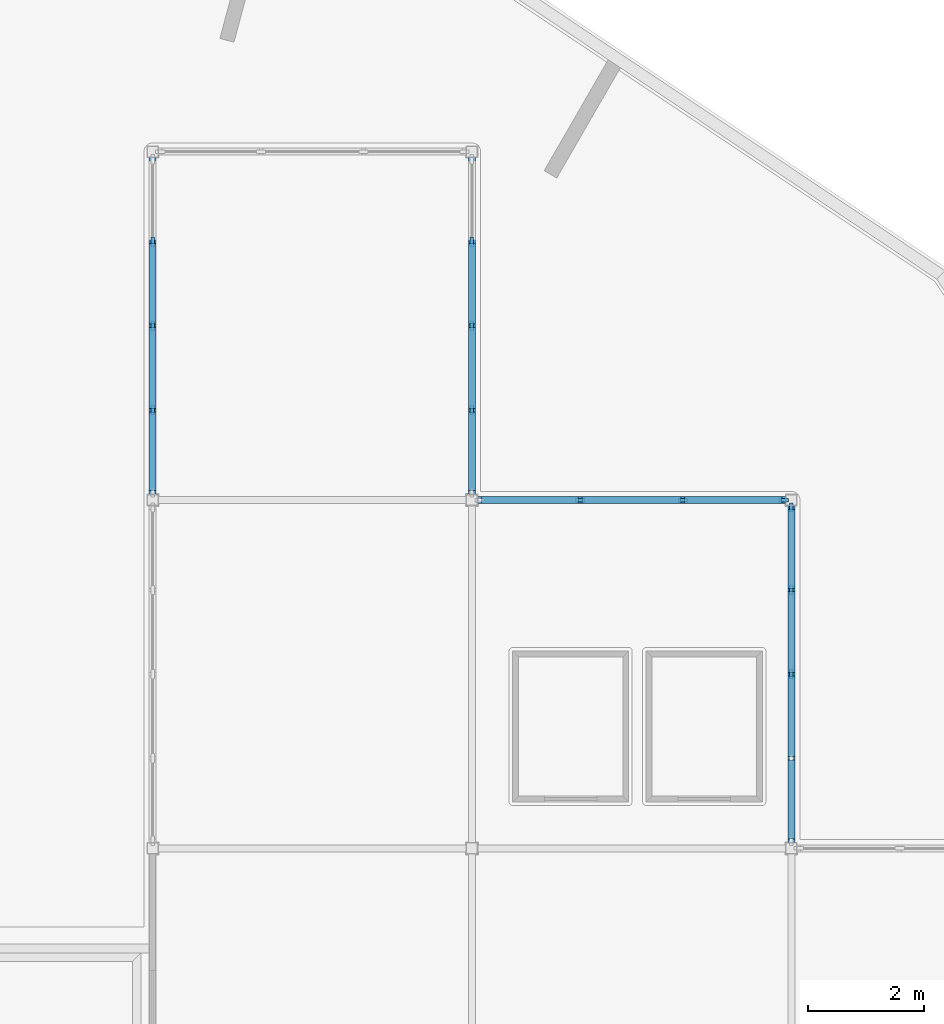
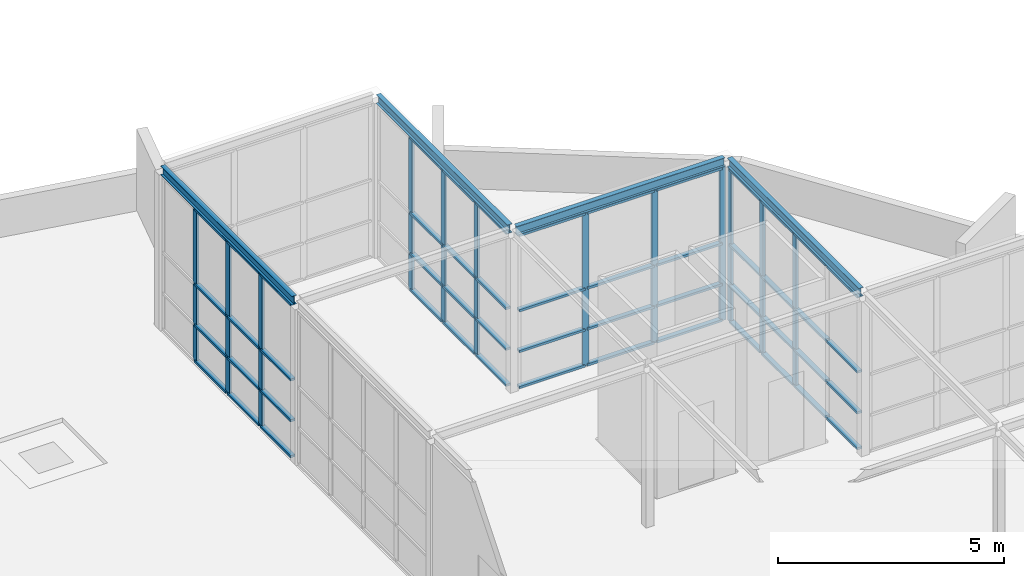
# One storey, part 14 of 40: 64 members, 4 beams, 4 elements without a shape of their own.
"""IFC4 building model written with IfcOpenShell, lengths in metres."""

import ifcopenshell
import ifcopenshell.guid

model = None  # the IFC model being written
_history = None  # IfcOwnerHistory: only IFC2X3 demands one
_inside = {}  # id of a spatial element -> (the spatial element, [elements in it])
_under = {}  # id of a project, library or spatial element -> (it, [spatial elements below it])
_declared = {}  # id of a project -> (the project, [libraries it declares])
_typed = {}  # id of a type object -> (the type object, [elements of that type])
_made_of = {}  # id of a material, layer set ... -> (it, [elements and type objects made of it])


def new_model(schema):
    """Start an empty IFC model of exactly this schema.

    Asked for "IFC4X3", IfcOpenShell would pick the latest addendum, in which some entities
    have other attributes; the version numbers below select the first issue.
    IFC2X3 requires an IfcOwnerHistory on every rooted entity: one is made here for all.
    """
    global model, _history
    if schema == "IFC4X3":
        model = ifcopenshell.file(schema_version=(4, 3, 0, 0))
    else:
        model = ifcopenshell.file(schema=schema)
    _inside.clear()
    _under.clear()
    _declared.clear()
    _typed.clear()
    _made_of.clear()
    _history = None
    if model.schema == "IFC2X3":
        org = make("IfcOrganization", Name="unknown")
        user = make(
            "IfcPersonAndOrganization",
            ThePerson=make("IfcPerson", FamilyName="unknown"),
            TheOrganization=org,
        )
        app = make(
            "IfcApplication",
            ApplicationDeveloper=org,
            Version="unknown",
            ApplicationFullName="unknown",
            ApplicationIdentifier="unknown",
        )
        _history = make(
            "IfcOwnerHistory",
            OwningUser=user,
            OwningApplication=app,
            ChangeAction="ADDED",
            CreationDate=0,
        )
    return model


def make(cls, **values):
    """One entity of the class cls with the attributes given. An attribute that is None is left unset."""
    return model.create_entity(
        cls, **{name: value for name, value in values.items() if value is not None}
    )


def rooted(cls, **values):
    """An entity with a GlobalId (a new one), such as an element, a storey or a relation."""
    return make(cls, GlobalId=ifcopenshell.guid.new(), OwnerHistory=_history, **values)


def si_unit(unit_type, name, prefix=None):
    """IfcSIUnit, for example si_unit("LENGTHUNIT", "METRE", prefix="MILLI")."""
    return make("IfcSIUnit", UnitType=unit_type, Prefix=prefix, Name=name)


def assignment(units):
    """IfcUnitAssignment: the units of a project."""
    return None if units is None else make("IfcUnitAssignment", Units=units)


def point(xyz):
    """IfcCartesianPoint."""
    return None if xyz is None else make("IfcCartesianPoint", Coordinates=xyz)


def direction(xyz):
    """IfcDirection."""
    return None if xyz is None else make("IfcDirection", DirectionRatios=xyz)


def frame(location, z_axis=None, x_axis=None):
    """IfcAxis2Placement3D, a coordinate frame: its origin and axes. An axis left out is left unset."""
    return make(
        "IfcAxis2Placement3D",
        Location=point(location),
        Axis=direction(z_axis),
        RefDirection=direction(x_axis),
    )


def frame_2d(location, x_axis=None):
    """IfcAxis2Placement2D, a coordinate frame in the plane: its origin and x axis."""
    return make(
        "IfcAxis2Placement2D", Location=point(location), RefDirection=direction(x_axis)
    )


def origin():
    """The frame at (0, 0, 0) with its axes left unset."""
    return frame((0.0, 0.0, 0.0))


def origin_2d():
    """The frame at (0, 0) in the plane with its x axis left unset."""
    return frame_2d((0.0, 0.0))


def place(relative_to, where):
    """IfcLocalPlacement: puts the frame where relative to a parent placement (None: the world)."""
    return make(
        "IfcLocalPlacement", PlacementRelTo=relative_to, RelativePlacement=where
    )


def context(
    kind, dimensions, precision=None, world=None, true_north=None, identifier=None
):
    """IfcGeometricRepresentationContext, for example the 3D "Model" context."""
    return make(
        "IfcGeometricRepresentationContext",
        ContextIdentifier=identifier,
        ContextType=kind,
        CoordinateSpaceDimension=dimensions,
        Precision=precision,
        WorldCoordinateSystem=world,
        TrueNorth=true_north,
    )


def subcontext(parent, identifier, kind, view, scale=None):
    """IfcGeometricRepresentationSubContext, for example "Body" below "Model"."""
    return make(
        "IfcGeometricRepresentationSubContext",
        ContextIdentifier=identifier,
        ContextType=kind,
        ParentContext=parent,
        TargetScale=scale,
        TargetView=view,
    )


def project(units=None, contexts=None):
    """IfcProject with its units and contexts."""
    return rooted(
        "IfcProject",
        Name="project",
        RepresentationContexts=contexts,
        UnitsInContext=assignment(units),
    )


def spatial(cls, under=None, at=None, **own):
    """A site, building, storey or space (cls), placed at a placement, below another one or the project."""
    s = rooted(cls, ObjectPlacement=at, **own)
    if under is not None:
        _under.setdefault(under.id(), (under, []))[1].append(s)
    return s


def profile(cls, at=None, kind="AREA", **sizes):
    """A parametric profile (cls). Its sizes go by their IFC names, for example OverallWidth=200.0."""
    return make(cls, ProfileType=kind, Position=at, **sizes)


def rectangle(**sizes):
    """IfcRectangleProfileDef."""
    return profile("IfcRectangleProfileDef", **sizes)


def i_section(**sizes):
    """IfcIShapeProfileDef."""
    return profile("IfcIShapeProfileDef", **sizes)


def extrude(swept, where, along, depth):
    """IfcExtrudedAreaSolid: the profile swept, set in the frame where, extruded along a direction by depth."""
    return make(
        "IfcExtrudedAreaSolid",
        SweptArea=swept,
        Position=where,
        ExtrudedDirection=direction(along),
        Depth=depth,
    )


def shape(context_of_items, identifier, shape_type, items):
    """IfcShapeRepresentation: the items that make up one representation, for example the "Body"."""
    return make(
        "IfcShapeRepresentation",
        ContextOfItems=context_of_items,
        RepresentationIdentifier=identifier,
        RepresentationType=shape_type,
        Items=items,
    )


def material(Name=None, Category=None):
    """IfcMaterial."""
    return make("IfcMaterial", Name=Name, Category=Category)


def material_profile(
    of_material, cross_section, Name=None, Category=None, Priority=None
):
    """IfcMaterialProfile: a cross section and its material."""
    return make(
        "IfcMaterialProfile",
        Name=Name,
        Material=of_material,
        Profile=cross_section,
        Priority=Priority,
        Category=Category,
    )


def profile_set(profiles, Name=None, composite=None):
    """IfcMaterialProfileSet."""
    return make(
        "IfcMaterialProfileSet",
        Name=Name,
        MaterialProfiles=profiles,
        CompositeProfile=composite,
    )


def made_of(thing, what):
    """Note that an element or type object is made of a material, layer set ...; save() writes the relation."""
    if what is not None:
        _made_of.setdefault(what.id(), (what, []))[1].append(thing)
    return thing


def type_object(cls, material=None, **own):
    """A type object (cls), such as IfcWallType, which elements share."""
    return made_of(rooted(cls, **own), material)


def element(
    cls,
    number,
    at=None,
    inside=None,
    cuts=None,
    type_object=None,
    material=None,
    context=None,
    identifier="Body",
    shape_type=None,
    held_by="IfcProductDefinitionShape",
    body=None,
    shapes=None,
    **own,
):
    """One element of the class cls, such as IfcWall. Its Tag is "e" and its number.

    at: its placement. inside: the storey or other place that contains it. cuts: it is an
    opening in that element (IfcRelVoidsElement). A single representation is given by context,
    identifier, shape_type and body (its items); several are given by shapes. held_by: the class
    of the entity that holds the representations. save() writes the other relations.
    """
    e = rooted(cls, Tag="e%d" % number, ObjectPlacement=at, **own)
    if body is not None:
        shapes = [shape(context, identifier, shape_type, body)]
    if shapes is not None:
        e.Representation = make(held_by, Representations=shapes)
    if inside is not None:
        _inside.setdefault(inside.id(), (inside, []))[1].append(e)
    if cuts is not None:
        rooted(
            "IfcRelVoidsElement", RelatingBuildingElement=cuts, RelatedOpeningElement=e
        )
    if type_object is not None:
        _typed.setdefault(type_object.id(), (type_object, []))[1].append(e)
    return made_of(e, material)


def aggregate(whole, parts):
    """IfcRelAggregates: a whole, such as a stair, and the parts it consists of."""
    return rooted("IfcRelAggregates", RelatingObject=whole, RelatedObjects=parts)


def save(model, path):
    """Write the relations noted so far, then the file.

    IfcRelAggregates (storeys below a building ...), IfcRelContainedInSpatialStructure (elements
    in a storey), IfcRelDefinesByType, IfcRelAssociatesMaterial and IfcRelDeclares: one each for
    every whole, place, type object, material and project.
    """
    for whole, parts in _under.values():
        aggregate(whole, parts)
    for where, things in _inside.values():
        rooted(
            "IfcRelContainedInSpatialStructure",
            RelatedElements=things,
            RelatingStructure=where,
        )
    for kind, things in _typed.values():
        rooted("IfcRelDefinesByType", RelatedObjects=things, RelatingType=kind)
    for what, things in _made_of.values():
        rooted("IfcRelAssociatesMaterial", RelatedObjects=things, RelatingMaterial=what)
    for by, libraries in _declared.values():
        rooted("IfcRelDeclares", RelatingContext=by, RelatedDefinitions=libraries)
    model.write(path)


model = new_model("IFC4")

# Units and contexts
model_context = context("Model", 3, precision=1e-05, world=origin(), true_north=direction((0.0, 1.0)))
body_context = subcontext(model_context, "Body", "Model", "MODEL_VIEW")
ifc_project = project(units=[si_unit("LENGTHUNIT", "METRE"), si_unit("AREAUNIT", "SQUARE_METRE"), si_unit("VOLUMEUNIT", "CUBIC_METRE"), si_unit("PLANEANGLEUNIT", "RADIAN"), si_unit("MASSUNIT", "GRAM", prefix="KILO")], contexts=[model_context])

# Site, building, storey
site_placement = place(None, origin())
site = spatial("IfcSite", under=ifc_project, at=site_placement, CompositionType="ELEMENT")
building_placement = place(site_placement, origin())
building = spatial("IfcBuilding", under=site, at=building_placement, Name="Ceibo Conservatory and Research Tower", CompositionType="ELEMENT")
storey_placement = place(building_placement, frame((0.0, 0.0, 6.0)))
storey = spatial("IfcBuildingStorey", under=building, at=storey_placement, Name="L01", CompositionType="ELEMENT", Elevation=6.0)

# Beams
ifc_material_1 = material(Name="Steel S355J2", Category="steel")
ifc_material_profile_1 = material_profile(ifc_material_1, i_section(OverallWidth=0.1201171875, OverallDepth=0.239990234375, WebThickness=0.006103515625, FlangeThickness=0.009765625, at=origin_2d()), Name="IPE 240")
ifc_profile_set_1 = profile_set([ifc_material_profile_1], Name="Steel S355J2")
beam_type = type_object("IfcBeamType", Name="IPE 240 gallery roof beam", PredefinedType="BEAM", material=ifc_profile_set_1)
beam_placement = place(storey_placement, frame((178.294921875, 50.39990234375, 4.280029296875), z_axis=(1.0, 0.0, 0.0), x_axis=(0.0, 1.0, 0.0)))
element("IfcBeam", 1, at=beam_placement, inside=storey, type_object=beam_type, Name="Sky Gallery roof beam VC-SBh14", PredefinedType="BEAM", context=body_context, shape_type="SweptSolid", body=[
    extrude(i_section(OverallWidth=0.1201171875, OverallDepth=0.239990234375, WebThickness=0.006103515625, FlangeThickness=0.009765625, at=origin_2d()), origin(), (0.0, 0.0, 1.0), 5.31005859375),
])
for number, where, z_axis, x_axis, name in (
    (2, (172.699951171875, 50.4951171875, 4.280029296875), (0.0, 1.0, 0.0), (-1.0, 0.0, 0.0), "Sky Gallery roof beam VC-SBv04"),
    (3, (178.199951171875, 50.4951171875, 4.280029296875), (0.0, 1.0, 0.0), (-1.0, 0.0, 0.0), "Sky Gallery roof beam VC-SBv14"),
    (4, (183.699951171875, 44.4951171875, 4.280029296875), (0.0, 1.0, 0.0), (-1.0, 0.0, 0.0), "Sky Gallery roof beam VC-SBv23"),
):
    element("IfcBeam", number, at=place(storey_placement, frame(where, z_axis=z_axis, x_axis=x_axis)), inside=storey, type_object=beam_type, Name=name, PredefinedType="BEAM", context=body_context, shape_type="SweptSolid", body=[
        extrude(i_section(OverallWidth=0.1201171875, OverallDepth=0.239990234375, WebThickness=0.006103515625, FlangeThickness=0.009765625, at=origin_2d()), origin(), (0.0, 0.0, 1.0), 5.809814453125),
    ])

# Curtain wall, members
ifc_material_2 = material(Name="Aluminium and glass", Category="aluminium")
curtain_wall_type = type_object("IfcCurtainWallType", Name="Sky gallery curtain wall", PredefinedType="NOTDEFINED", material=ifc_material_2)
curtain_wall_1_placement = place(storey_placement, origin())
curtain_wall_1 = element("IfcCurtainWall", 5, at=curtain_wall_1_placement, inside=storey, type_object=curtain_wall_type, Name="Sky Gallery curtain wall h14", PredefinedType="NOTDEFINED")
ifc_material_3 = material(Name="Aluminium", Category="aluminium")
ifc_material_profile_2 = material_profile(ifc_material_3, rectangle(XDim=0.06005859375, YDim=0.159912109375, at=origin_2d()), Name="AL 60x160")
ifc_profile_set_2 = profile_set([ifc_material_profile_2], Name="Aluminium")
member_type_1 = type_object("IfcMemberType", Name="Sky gallery mullion 60x160", PredefinedType="MULLION", material=ifc_profile_set_2)
member_1_placement = place(storey_placement, frame((180.066650390625, 50.39990234375, 0.0), z_axis=(0.0, 0.0, 1.0), x_axis=(0.0, 1.0, 0.0)))
member_1 = element("IfcMember", 6, at=member_1_placement, type_object=member_type_1, Name="VC-SWh14 mullion 2", PredefinedType="MULLION", context=body_context, shape_type="SweptSolid", body=[
    extrude(rectangle(XDim=0.06005859375, YDim=0.159912109375, at=origin_2d()), origin(), (0.0, 0.0, 1.0), 4.159912109375),
])
member_2_placement = place(storey_placement, frame((181.833251953125, 50.39990234375, 0.0), z_axis=(0.0, 0.0, 1.0), x_axis=(0.0, 1.0, 0.0)))
member_2 = element("IfcMember", 7, at=member_2_placement, type_object=member_type_1, Name="VC-SWh14 mullion 3", PredefinedType="MULLION", context=body_context, shape_type="SweptSolid", body=[
    extrude(rectangle(XDim=0.06005859375, YDim=0.159912109375, at=origin_2d()), origin(), (0.0, 0.0, 1.0), 4.159912109375),
])
member_3_placement = place(storey_placement, frame((183.570068359375, 50.39990234375, 0.0), z_axis=(0.0, 0.0, 1.0), x_axis=(0.0, 1.0, 0.0)))
member_3 = element("IfcMember", 8, at=member_3_placement, type_object=member_type_1, Name="VC-SWh14 mullion 4", PredefinedType="MULLION", context=body_context, shape_type="SweptSolid", body=[
    extrude(rectangle(XDim=0.06005859375, YDim=0.159912109375, at=origin_2d()), origin(), (0.0, 0.0, 1.0), 4.159912109375),
])

curtain_wall_2_placement = place(storey_placement, origin())
curtain_wall_2 = element("IfcCurtainWall", 9, at=curtain_wall_2_placement, inside=storey, type_object=curtain_wall_type, Name="Sky Gallery curtain wall v04", PredefinedType="NOTDEFINED")
member_4_placement = place(storey_placement, frame((172.699951171875, 51.949951171875, 0.0), z_axis=(0.0, 0.0, 1.0), x_axis=(-1.0, 0.0, 0.0)))
member_4 = element("IfcMember", 10, at=member_4_placement, type_object=member_type_1, Name="VC-SWv04 mullion 2", PredefinedType="MULLION", context=body_context, shape_type="SweptSolid", body=[
    extrude(rectangle(XDim=0.06005859375, YDim=0.159912109375, at=origin_2d()), origin(), (0.0, 0.0, 1.0), 4.159912109375),
])
member_5_placement = place(storey_placement, frame((172.699951171875, 53.39990234375, 0.0), z_axis=(0.0, 0.0, 1.0), x_axis=(-1.0, 0.0, 0.0)))
member_5 = element("IfcMember", 11, at=member_5_placement, type_object=member_type_1, Name="VC-SWv04 mullion 3", PredefinedType="MULLION", context=body_context, shape_type="SweptSolid", body=[
    extrude(rectangle(XDim=0.06005859375, YDim=0.159912109375, at=origin_2d()), origin(), (0.0, 0.0, 1.0), 4.159912109375),
])
member_6_placement = place(storey_placement, frame((172.699951171875, 54.85009765625, 0.0), z_axis=(0.0, 0.0, 1.0), x_axis=(-1.0, 0.0, 0.0)))
member_6 = element("IfcMember", 12, at=member_6_placement, type_object=member_type_1, Name="VC-SWv04 mullion 4", PredefinedType="MULLION", context=body_context, shape_type="SweptSolid", body=[
    extrude(rectangle(XDim=0.06005859375, YDim=0.159912109375, at=origin_2d()), origin(), (0.0, 0.0, 1.0), 4.159912109375),
])

curtain_wall_3_placement = place(storey_placement, origin())
curtain_wall_3 = element("IfcCurtainWall", 13, at=curtain_wall_3_placement, inside=storey, type_object=curtain_wall_type, Name="Sky Gallery curtain wall v14", PredefinedType="NOTDEFINED")
member_7_placement = place(storey_placement, frame((178.199951171875, 51.949951171875, 0.0), z_axis=(0.0, 0.0, 1.0), x_axis=(-1.0, 0.0, 0.0)))
member_7 = element("IfcMember", 14, at=member_7_placement, type_object=member_type_1, Name="VC-SWv14 mullion 2", PredefinedType="MULLION", context=body_context, shape_type="SweptSolid", body=[
    extrude(rectangle(XDim=0.06005859375, YDim=0.159912109375, at=origin_2d()), origin(), (0.0, 0.0, 1.0), 4.159912109375),
])
member_8_placement = place(storey_placement, frame((178.199951171875, 53.39990234375, 0.0), z_axis=(0.0, 0.0, 1.0), x_axis=(-1.0, 0.0, 0.0)))
member_8 = element("IfcMember", 15, at=member_8_placement, type_object=member_type_1, Name="VC-SWv14 mullion 3", PredefinedType="MULLION", context=body_context, shape_type="SweptSolid", body=[
    extrude(rectangle(XDim=0.06005859375, YDim=0.159912109375, at=origin_2d()), origin(), (0.0, 0.0, 1.0), 4.159912109375),
])
member_9_placement = place(storey_placement, frame((178.199951171875, 54.85009765625, 0.0), z_axis=(0.0, 0.0, 1.0), x_axis=(-1.0, 0.0, 0.0)))
member_9 = element("IfcMember", 16, at=member_9_placement, type_object=member_type_1, Name="VC-SWv14 mullion 4", PredefinedType="MULLION", context=body_context, shape_type="SweptSolid", body=[
    extrude(rectangle(XDim=0.06005859375, YDim=0.159912109375, at=origin_2d()), origin(), (0.0, 0.0, 1.0), 4.159912109375),
])

curtain_wall_4_placement = place(storey_placement, origin())
curtain_wall_4 = element("IfcCurtainWall", 17, at=curtain_wall_4_placement, inside=storey, type_object=curtain_wall_type, Name="Sky Gallery curtain wall v23", PredefinedType="NOTDEFINED")
member_10_placement = place(storey_placement, frame((183.699951171875, 47.39990234375, 0.0), z_axis=(0.0, 0.0, 1.0), x_axis=(-1.0, 0.0, 0.0)))
member_10 = element("IfcMember", 18, at=member_10_placement, type_object=member_type_1, Name="VC-SWv23 mullion 3", PredefinedType="MULLION", context=body_context, shape_type="SweptSolid", body=[
    extrude(rectangle(XDim=0.06005859375, YDim=0.159912109375, at=origin_2d()), origin(), (0.0, 0.0, 1.0), 4.159912109375),
])
member_11_placement = place(storey_placement, frame((183.699951171875, 48.85009765625, 0.0), z_axis=(0.0, 0.0, 1.0), x_axis=(-1.0, 0.0, 0.0)))
member_11 = element("IfcMember", 19, at=member_11_placement, type_object=member_type_1, Name="VC-SWv23 mullion 4", PredefinedType="MULLION", context=body_context, shape_type="SweptSolid", body=[
    extrude(rectangle(XDim=0.06005859375, YDim=0.159912109375, at=origin_2d()), origin(), (0.0, 0.0, 1.0), 4.159912109375),
])
member_12_placement = place(storey_placement, frame((183.699951171875, 50.27001953125, 0.0), z_axis=(0.0, 0.0, 1.0), x_axis=(-1.0, 0.0, 0.0)))
member_12 = element("IfcMember", 20, at=member_12_placement, type_object=member_type_1, Name="VC-SWv23 mullion 5", PredefinedType="MULLION", context=body_context, shape_type="SweptSolid", body=[
    extrude(rectangle(XDim=0.06005859375, YDim=0.159912109375, at=origin_2d()), origin(), (0.0, 0.0, 1.0), 4.159912109375),
])

# Member
ifc_material_profile_3 = material_profile(ifc_material_3, rectangle(XDim=0.1201171875, YDim=0.06005859375, at=origin_2d()), Name="AL 60x120")
ifc_profile_set_3 = profile_set([ifc_material_profile_3], Name="Aluminium")
member_type_2 = type_object("IfcMemberType", Name="Sky gallery transom 60x120", PredefinedType="USERDEFINED", material=ifc_profile_set_3)
member_13_placement = place(storey_placement, frame((178.360107421875, 50.39990234375, 0.030029296875), z_axis=(1.0, 0.0, 0.0), x_axis=(0.0, 1.0, 0.0)))
member_13 = element("IfcMember", 21, at=member_13_placement, type_object=member_type_2, Name="VC-SWh14 transom 1.1", ObjectType="TRANSOM", PredefinedType="USERDEFINED", context=body_context, shape_type="SweptSolid", body=[
    extrude(rectangle(XDim=0.1201171875, YDim=0.06005859375, at=origin_2d()), origin(), (0.0, 0.0, 1.0), 1.676513671875),
])

member_14_placement = place(storey_placement, frame((178.360107421875, 50.39990234375, 1.0), z_axis=(1.0, 0.0, 0.0), x_axis=(0.0, 1.0, 0.0)))
member_14 = element("IfcMember", 22, at=member_14_placement, type_object=member_type_2, Name="VC-SWh14 transom 1.2", ObjectType="TRANSOM", PredefinedType="USERDEFINED", context=body_context, shape_type="SweptSolid", body=[
    extrude(rectangle(XDim=0.1201171875, YDim=0.06005859375, at=origin_2d()), origin(), (0.0, 0.0, 1.0), 1.676513671875),
])

member_15_placement = place(storey_placement, frame((178.360107421875, 50.39990234375, 2.10009765625), z_axis=(1.0, 0.0, 0.0), x_axis=(0.0, 1.0, 0.0)))
member_15 = element("IfcMember", 23, at=member_15_placement, type_object=member_type_2, Name="VC-SWh14 transom 1.3", ObjectType="TRANSOM", PredefinedType="USERDEFINED", context=body_context, shape_type="SweptSolid", body=[
    extrude(rectangle(XDim=0.1201171875, YDim=0.06005859375, at=origin_2d()), origin(), (0.0, 0.0, 1.0), 1.676513671875),
])

member_16_placement = place(storey_placement, frame((178.360107421875, 50.39990234375, 4.1298828125), z_axis=(1.0, 0.0, 0.0), x_axis=(0.0, 1.0, 0.0)))
member_16 = element("IfcMember", 24, at=member_16_placement, type_object=member_type_2, Name="VC-SWh14 transom 1.4", ObjectType="TRANSOM", PredefinedType="USERDEFINED", context=body_context, shape_type="SweptSolid", body=[
    extrude(rectangle(XDim=0.1201171875, YDim=0.06005859375, at=origin_2d()), origin(), (0.0, 0.0, 1.0), 1.676513671875),
])

member_17_placement = place(storey_placement, frame((180.0966796875, 50.39990234375, 0.030029296875), z_axis=(1.0, 0.0, 0.0), x_axis=(0.0, 1.0, 0.0)))
member_17 = element("IfcMember", 25, at=member_17_placement, type_object=member_type_2, Name="VC-SWh14 transom 2.1", ObjectType="TRANSOM", PredefinedType="USERDEFINED", context=body_context, shape_type="SweptSolid", body=[
    extrude(rectangle(XDim=0.1201171875, YDim=0.06005859375, at=origin_2d()), origin(), (0.0, 0.0, 1.0), 1.70654296875),
])

member_18_placement = place(storey_placement, frame((180.0966796875, 50.39990234375, 1.0), z_axis=(1.0, 0.0, 0.0), x_axis=(0.0, 1.0, 0.0)))
member_18 = element("IfcMember", 26, at=member_18_placement, type_object=member_type_2, Name="VC-SWh14 transom 2.2", ObjectType="TRANSOM", PredefinedType="USERDEFINED", context=body_context, shape_type="SweptSolid", body=[
    extrude(rectangle(XDim=0.1201171875, YDim=0.06005859375, at=origin_2d()), origin(), (0.0, 0.0, 1.0), 1.70654296875),
])

member_19_placement = place(storey_placement, frame((180.0966796875, 50.39990234375, 2.10009765625), z_axis=(1.0, 0.0, 0.0), x_axis=(0.0, 1.0, 0.0)))
member_19 = element("IfcMember", 27, at=member_19_placement, type_object=member_type_2, Name="VC-SWh14 transom 2.3", ObjectType="TRANSOM", PredefinedType="USERDEFINED", context=body_context, shape_type="SweptSolid", body=[
    extrude(rectangle(XDim=0.1201171875, YDim=0.06005859375, at=origin_2d()), origin(), (0.0, 0.0, 1.0), 1.70654296875),
])

member_20_placement = place(storey_placement, frame((180.0966796875, 50.39990234375, 4.1298828125), z_axis=(1.0, 0.0, 0.0), x_axis=(0.0, 1.0, 0.0)))
member_20 = element("IfcMember", 28, at=member_20_placement, type_object=member_type_2, Name="VC-SWh14 transom 2.4", ObjectType="TRANSOM", PredefinedType="USERDEFINED", context=body_context, shape_type="SweptSolid", body=[
    extrude(rectangle(XDim=0.1201171875, YDim=0.06005859375, at=origin_2d()), origin(), (0.0, 0.0, 1.0), 1.70654296875),
])

member_21_placement = place(storey_placement, frame((181.86328125, 50.39990234375, 0.030029296875), z_axis=(1.0, 0.0, 0.0), x_axis=(0.0, 1.0, 0.0)))
member_21 = element("IfcMember", 29, at=member_21_placement, type_object=member_type_2, Name="VC-SWh14 transom 3.1", ObjectType="TRANSOM", PredefinedType="USERDEFINED", context=body_context, shape_type="SweptSolid", body=[
    extrude(rectangle(XDim=0.1201171875, YDim=0.06005859375, at=origin_2d()), origin(), (0.0, 0.0, 1.0), 1.6767578125),
])

member_22_placement = place(storey_placement, frame((181.86328125, 50.39990234375, 1.0), z_axis=(1.0, 0.0, 0.0), x_axis=(0.0, 1.0, 0.0)))
member_22 = element("IfcMember", 30, at=member_22_placement, type_object=member_type_2, Name="VC-SWh14 transom 3.2", ObjectType="TRANSOM", PredefinedType="USERDEFINED", context=body_context, shape_type="SweptSolid", body=[
    extrude(rectangle(XDim=0.1201171875, YDim=0.06005859375, at=origin_2d()), origin(), (0.0, 0.0, 1.0), 1.6767578125),
])

member_23_placement = place(storey_placement, frame((181.86328125, 50.39990234375, 2.10009765625), z_axis=(1.0, 0.0, 0.0), x_axis=(0.0, 1.0, 0.0)))
member_23 = element("IfcMember", 31, at=member_23_placement, type_object=member_type_2, Name="VC-SWh14 transom 3.3", ObjectType="TRANSOM", PredefinedType="USERDEFINED", context=body_context, shape_type="SweptSolid", body=[
    extrude(rectangle(XDim=0.1201171875, YDim=0.06005859375, at=origin_2d()), origin(), (0.0, 0.0, 1.0), 1.6767578125),
])

member_24_placement = place(storey_placement, frame((181.86328125, 50.39990234375, 4.1298828125), z_axis=(1.0, 0.0, 0.0), x_axis=(0.0, 1.0, 0.0)))
member_24 = element("IfcMember", 32, at=member_24_placement, type_object=member_type_2, Name="VC-SWh14 transom 3.4", ObjectType="TRANSOM", PredefinedType="USERDEFINED", context=body_context, shape_type="SweptSolid", body=[
    extrude(rectangle(XDim=0.1201171875, YDim=0.06005859375, at=origin_2d()), origin(), (0.0, 0.0, 1.0), 1.6767578125),
])

aggregate(curtain_wall_1, [member_1, member_2, member_3, member_13, member_14, member_15, member_16, member_17, member_18, member_19, member_20, member_21, member_22, member_23, member_24])

member_25_placement = place(storey_placement, frame((172.699951171875, 50.56005859375, 0.030029296875), z_axis=(0.0, 1.0, 0.0), x_axis=(-1.0, 0.0, 0.0)))
member_25 = element("IfcMember", 33, at=member_25_placement, type_object=member_type_2, Name="VC-SWv04 transom 1.1", ObjectType="TRANSOM", PredefinedType="USERDEFINED", context=body_context, shape_type="SweptSolid", body=[
    extrude(rectangle(XDim=0.1201171875, YDim=0.06005859375, at=origin_2d()), origin(), (0.0, 0.0, 1.0), 1.35986328125),
])

member_26_placement = place(storey_placement, frame((172.699951171875, 50.56005859375, 1.0), z_axis=(0.0, 1.0, 0.0), x_axis=(-1.0, 0.0, 0.0)))
member_26 = element("IfcMember", 34, at=member_26_placement, type_object=member_type_2, Name="VC-SWv04 transom 1.2", ObjectType="TRANSOM", PredefinedType="USERDEFINED", context=body_context, shape_type="SweptSolid", body=[
    extrude(rectangle(XDim=0.1201171875, YDim=0.06005859375, at=origin_2d()), origin(), (0.0, 0.0, 1.0), 1.35986328125),
])

member_27_placement = place(storey_placement, frame((172.699951171875, 50.56005859375, 2.10009765625), z_axis=(0.0, 1.0, 0.0), x_axis=(-1.0, 0.0, 0.0)))
member_27 = element("IfcMember", 35, at=member_27_placement, type_object=member_type_2, Name="VC-SWv04 transom 1.3", ObjectType="TRANSOM", PredefinedType="USERDEFINED", context=body_context, shape_type="SweptSolid", body=[
    extrude(rectangle(XDim=0.1201171875, YDim=0.06005859375, at=origin_2d()), origin(), (0.0, 0.0, 1.0), 1.35986328125),
])

member_28_placement = place(storey_placement, frame((172.699951171875, 50.56005859375, 4.1298828125), z_axis=(0.0, 1.0, 0.0), x_axis=(-1.0, 0.0, 0.0)))
member_28 = element("IfcMember", 36, at=member_28_placement, type_object=member_type_2, Name="VC-SWv04 transom 1.4", ObjectType="TRANSOM", PredefinedType="USERDEFINED", context=body_context, shape_type="SweptSolid", body=[
    extrude(rectangle(XDim=0.1201171875, YDim=0.06005859375, at=origin_2d()), origin(), (0.0, 0.0, 1.0), 1.35986328125),
])

member_29_placement = place(storey_placement, frame((172.699951171875, 51.97998046875, 0.030029296875), z_axis=(0.0, 1.0, 0.0), x_axis=(-1.0, 0.0, 0.0)))
member_29 = element("IfcMember", 37, at=member_29_placement, type_object=member_type_2, Name="VC-SWv04 transom 2.1", ObjectType="TRANSOM", PredefinedType="USERDEFINED", context=body_context, shape_type="SweptSolid", body=[
    extrude(rectangle(XDim=0.1201171875, YDim=0.06005859375, at=origin_2d()), origin(), (0.0, 0.0, 1.0), 1.39013671875),
])

member_30_placement = place(storey_placement, frame((172.699951171875, 51.97998046875, 1.0), z_axis=(0.0, 1.0, 0.0), x_axis=(-1.0, 0.0, 0.0)))
member_30 = element("IfcMember", 38, at=member_30_placement, type_object=member_type_2, Name="VC-SWv04 transom 2.2", ObjectType="TRANSOM", PredefinedType="USERDEFINED", context=body_context, shape_type="SweptSolid", body=[
    extrude(rectangle(XDim=0.1201171875, YDim=0.06005859375, at=origin_2d()), origin(), (0.0, 0.0, 1.0), 1.39013671875),
])

member_31_placement = place(storey_placement, frame((172.699951171875, 51.97998046875, 2.10009765625), z_axis=(0.0, 1.0, 0.0), x_axis=(-1.0, 0.0, 0.0)))
member_31 = element("IfcMember", 39, at=member_31_placement, type_object=member_type_2, Name="VC-SWv04 transom 2.3", ObjectType="TRANSOM", PredefinedType="USERDEFINED", context=body_context, shape_type="SweptSolid", body=[
    extrude(rectangle(XDim=0.1201171875, YDim=0.06005859375, at=origin_2d()), origin(), (0.0, 0.0, 1.0), 1.39013671875),
])

member_32_placement = place(storey_placement, frame((172.699951171875, 51.97998046875, 4.1298828125), z_axis=(0.0, 1.0, 0.0), x_axis=(-1.0, 0.0, 0.0)))
member_32 = element("IfcMember", 40, at=member_32_placement, type_object=member_type_2, Name="VC-SWv04 transom 2.4", ObjectType="TRANSOM", PredefinedType="USERDEFINED", context=body_context, shape_type="SweptSolid", body=[
    extrude(rectangle(XDim=0.1201171875, YDim=0.06005859375, at=origin_2d()), origin(), (0.0, 0.0, 1.0), 1.39013671875),
])

member_33_placement = place(storey_placement, frame((172.699951171875, 53.429931640625, 0.030029296875), z_axis=(0.0, 1.0, 0.0), x_axis=(-1.0, 0.0, 0.0)))
member_33 = element("IfcMember", 41, at=member_33_placement, type_object=member_type_2, Name="VC-SWv04 transom 3.1", ObjectType="TRANSOM", PredefinedType="USERDEFINED", context=body_context, shape_type="SweptSolid", body=[
    extrude(rectangle(XDim=0.1201171875, YDim=0.06005859375, at=origin_2d()), origin(), (0.0, 0.0, 1.0), 1.39013671875),
])

member_34_placement = place(storey_placement, frame((172.699951171875, 53.429931640625, 1.0), z_axis=(0.0, 1.0, 0.0), x_axis=(-1.0, 0.0, 0.0)))
member_34 = element("IfcMember", 42, at=member_34_placement, type_object=member_type_2, Name="VC-SWv04 transom 3.2", ObjectType="TRANSOM", PredefinedType="USERDEFINED", context=body_context, shape_type="SweptSolid", body=[
    extrude(rectangle(XDim=0.1201171875, YDim=0.06005859375, at=origin_2d()), origin(), (0.0, 0.0, 1.0), 1.39013671875),
])

member_35_placement = place(storey_placement, frame((172.699951171875, 53.429931640625, 2.10009765625), z_axis=(0.0, 1.0, 0.0), x_axis=(-1.0, 0.0, 0.0)))
member_35 = element("IfcMember", 43, at=member_35_placement, type_object=member_type_2, Name="VC-SWv04 transom 3.3", ObjectType="TRANSOM", PredefinedType="USERDEFINED", context=body_context, shape_type="SweptSolid", body=[
    extrude(rectangle(XDim=0.1201171875, YDim=0.06005859375, at=origin_2d()), origin(), (0.0, 0.0, 1.0), 1.39013671875),
])

member_36_placement = place(storey_placement, frame((172.699951171875, 53.429931640625, 4.1298828125), z_axis=(0.0, 1.0, 0.0), x_axis=(-1.0, 0.0, 0.0)))
member_36 = element("IfcMember", 44, at=member_36_placement, type_object=member_type_2, Name="VC-SWv04 transom 3.4", ObjectType="TRANSOM", PredefinedType="USERDEFINED", context=body_context, shape_type="SweptSolid", body=[
    extrude(rectangle(XDim=0.1201171875, YDim=0.06005859375, at=origin_2d()), origin(), (0.0, 0.0, 1.0), 1.39013671875),
])

aggregate(curtain_wall_2, [member_4, member_5, member_6, member_25, member_26, member_27, member_28, member_29, member_30, member_31, member_32, member_33, member_34, member_35, member_36])

member_37_placement = place(storey_placement, frame((178.199951171875, 50.56005859375, 0.030029296875), z_axis=(0.0, 1.0, 0.0), x_axis=(-1.0, 0.0, 0.0)))
member_37 = element("IfcMember", 45, at=member_37_placement, type_object=member_type_2, Name="VC-SWv14 transom 1.1", ObjectType="TRANSOM", PredefinedType="USERDEFINED", context=body_context, shape_type="SweptSolid", body=[
    extrude(rectangle(XDim=0.1201171875, YDim=0.06005859375, at=origin_2d()), origin(), (0.0, 0.0, 1.0), 1.35986328125),
])

member_38_placement = place(storey_placement, frame((178.199951171875, 50.56005859375, 1.0), z_axis=(0.0, 1.0, 0.0), x_axis=(-1.0, 0.0, 0.0)))
member_38 = element("IfcMember", 46, at=member_38_placement, type_object=member_type_2, Name="VC-SWv14 transom 1.2", ObjectType="TRANSOM", PredefinedType="USERDEFINED", context=body_context, shape_type="SweptSolid", body=[
    extrude(rectangle(XDim=0.1201171875, YDim=0.06005859375, at=origin_2d()), origin(), (0.0, 0.0, 1.0), 1.35986328125),
])

member_39_placement = place(storey_placement, frame((178.199951171875, 50.56005859375, 2.10009765625), z_axis=(0.0, 1.0, 0.0), x_axis=(-1.0, 0.0, 0.0)))
member_39 = element("IfcMember", 47, at=member_39_placement, type_object=member_type_2, Name="VC-SWv14 transom 1.3", ObjectType="TRANSOM", PredefinedType="USERDEFINED", context=body_context, shape_type="SweptSolid", body=[
    extrude(rectangle(XDim=0.1201171875, YDim=0.06005859375, at=origin_2d()), origin(), (0.0, 0.0, 1.0), 1.35986328125),
])

member_40_placement = place(storey_placement, frame((178.199951171875, 50.56005859375, 4.1298828125), z_axis=(0.0, 1.0, 0.0), x_axis=(-1.0, 0.0, 0.0)))
member_40 = element("IfcMember", 48, at=member_40_placement, type_object=member_type_2, Name="VC-SWv14 transom 1.4", ObjectType="TRANSOM", PredefinedType="USERDEFINED", context=body_context, shape_type="SweptSolid", body=[
    extrude(rectangle(XDim=0.1201171875, YDim=0.06005859375, at=origin_2d()), origin(), (0.0, 0.0, 1.0), 1.35986328125),
])

member_41_placement = place(storey_placement, frame((178.199951171875, 51.97998046875, 0.030029296875), z_axis=(0.0, 1.0, 0.0), x_axis=(-1.0, 0.0, 0.0)))
member_41 = element("IfcMember", 49, at=member_41_placement, type_object=member_type_2, Name="VC-SWv14 transom 2.1", ObjectType="TRANSOM", PredefinedType="USERDEFINED", context=body_context, shape_type="SweptSolid", body=[
    extrude(rectangle(XDim=0.1201171875, YDim=0.06005859375, at=origin_2d()), origin(), (0.0, 0.0, 1.0), 1.39013671875),
])

member_42_placement = place(storey_placement, frame((178.199951171875, 51.97998046875, 1.0), z_axis=(0.0, 1.0, 0.0), x_axis=(-1.0, 0.0, 0.0)))
member_42 = element("IfcMember", 50, at=member_42_placement, type_object=member_type_2, Name="VC-SWv14 transom 2.2", ObjectType="TRANSOM", PredefinedType="USERDEFINED", context=body_context, shape_type="SweptSolid", body=[
    extrude(rectangle(XDim=0.1201171875, YDim=0.06005859375, at=origin_2d()), origin(), (0.0, 0.0, 1.0), 1.39013671875),
])

member_43_placement = place(storey_placement, frame((178.199951171875, 51.97998046875, 2.10009765625), z_axis=(0.0, 1.0, 0.0), x_axis=(-1.0, 0.0, 0.0)))
member_43 = element("IfcMember", 51, at=member_43_placement, type_object=member_type_2, Name="VC-SWv14 transom 2.3", ObjectType="TRANSOM", PredefinedType="USERDEFINED", context=body_context, shape_type="SweptSolid", body=[
    extrude(rectangle(XDim=0.1201171875, YDim=0.06005859375, at=origin_2d()), origin(), (0.0, 0.0, 1.0), 1.39013671875),
])

member_44_placement = place(storey_placement, frame((178.199951171875, 51.97998046875, 4.1298828125), z_axis=(0.0, 1.0, 0.0), x_axis=(-1.0, 0.0, 0.0)))
member_44 = element("IfcMember", 52, at=member_44_placement, type_object=member_type_2, Name="VC-SWv14 transom 2.4", ObjectType="TRANSOM", PredefinedType="USERDEFINED", context=body_context, shape_type="SweptSolid", body=[
    extrude(rectangle(XDim=0.1201171875, YDim=0.06005859375, at=origin_2d()), origin(), (0.0, 0.0, 1.0), 1.39013671875),
])

member_45_placement = place(storey_placement, frame((178.199951171875, 53.429931640625, 0.030029296875), z_axis=(0.0, 1.0, 0.0), x_axis=(-1.0, 0.0, 0.0)))
member_45 = element("IfcMember", 53, at=member_45_placement, type_object=member_type_2, Name="VC-SWv14 transom 3.1", ObjectType="TRANSOM", PredefinedType="USERDEFINED", context=body_context, shape_type="SweptSolid", body=[
    extrude(rectangle(XDim=0.1201171875, YDim=0.06005859375, at=origin_2d()), origin(), (0.0, 0.0, 1.0), 1.39013671875),
])

member_46_placement = place(storey_placement, frame((178.199951171875, 53.429931640625, 1.0), z_axis=(0.0, 1.0, 0.0), x_axis=(-1.0, 0.0, 0.0)))
member_46 = element("IfcMember", 54, at=member_46_placement, type_object=member_type_2, Name="VC-SWv14 transom 3.2", ObjectType="TRANSOM", PredefinedType="USERDEFINED", context=body_context, shape_type="SweptSolid", body=[
    extrude(rectangle(XDim=0.1201171875, YDim=0.06005859375, at=origin_2d()), origin(), (0.0, 0.0, 1.0), 1.39013671875),
])

member_47_placement = place(storey_placement, frame((178.199951171875, 53.429931640625, 2.10009765625), z_axis=(0.0, 1.0, 0.0), x_axis=(-1.0, 0.0, 0.0)))
member_47 = element("IfcMember", 55, at=member_47_placement, type_object=member_type_2, Name="VC-SWv14 transom 3.3", ObjectType="TRANSOM", PredefinedType="USERDEFINED", context=body_context, shape_type="SweptSolid", body=[
    extrude(rectangle(XDim=0.1201171875, YDim=0.06005859375, at=origin_2d()), origin(), (0.0, 0.0, 1.0), 1.39013671875),
])

member_48_placement = place(storey_placement, frame((178.199951171875, 53.429931640625, 4.1298828125), z_axis=(0.0, 1.0, 0.0), x_axis=(-1.0, 0.0, 0.0)))
member_48 = element("IfcMember", 56, at=member_48_placement, type_object=member_type_2, Name="VC-SWv14 transom 3.4", ObjectType="TRANSOM", PredefinedType="USERDEFINED", context=body_context, shape_type="SweptSolid", body=[
    extrude(rectangle(XDim=0.1201171875, YDim=0.06005859375, at=origin_2d()), origin(), (0.0, 0.0, 1.0), 1.39013671875),
])

aggregate(curtain_wall_3, [member_7, member_8, member_9, member_37, member_38, member_39, member_40, member_41, member_42, member_43, member_44, member_45, member_46, member_47, member_48])

member_49_placement = place(storey_placement, frame((183.699951171875, 44.56005859375, 0.030029296875), z_axis=(0.0, 1.0, 0.0), x_axis=(-1.0, 0.0, 0.0)))
member_49 = element("IfcMember", 57, at=member_49_placement, type_object=member_type_2, Name="VC-SWv23 transom 1.1", ObjectType="TRANSOM", PredefinedType="USERDEFINED", context=body_context, shape_type="SweptSolid", body=[
    extrude(rectangle(XDim=0.1201171875, YDim=0.06005859375, at=origin_2d()), origin(), (0.0, 0.0, 1.0), 1.35986328125),
])

member_50_placement = place(storey_placement, frame((183.699951171875, 44.56005859375, 1.0), z_axis=(0.0, 1.0, 0.0), x_axis=(-1.0, 0.0, 0.0)))
member_50 = element("IfcMember", 58, at=member_50_placement, type_object=member_type_2, Name="VC-SWv23 transom 1.2", ObjectType="TRANSOM", PredefinedType="USERDEFINED", context=body_context, shape_type="SweptSolid", body=[
    extrude(rectangle(XDim=0.1201171875, YDim=0.06005859375, at=origin_2d()), origin(), (0.0, 0.0, 1.0), 1.35986328125),
])

member_51_placement = place(storey_placement, frame((183.699951171875, 44.56005859375, 2.10009765625), z_axis=(0.0, 1.0, 0.0), x_axis=(-1.0, 0.0, 0.0)))
member_51 = element("IfcMember", 59, at=member_51_placement, type_object=member_type_2, Name="VC-SWv23 transom 1.3", ObjectType="TRANSOM", PredefinedType="USERDEFINED", context=body_context, shape_type="SweptSolid", body=[
    extrude(rectangle(XDim=0.1201171875, YDim=0.06005859375, at=origin_2d()), origin(), (0.0, 0.0, 1.0), 1.35986328125),
])

member_52_placement = place(storey_placement, frame((183.699951171875, 44.56005859375, 4.1298828125), z_axis=(0.0, 1.0, 0.0), x_axis=(-1.0, 0.0, 0.0)))
member_52 = element("IfcMember", 60, at=member_52_placement, type_object=member_type_2, Name="VC-SWv23 transom 1.4", ObjectType="TRANSOM", PredefinedType="USERDEFINED", context=body_context, shape_type="SweptSolid", body=[
    extrude(rectangle(XDim=0.1201171875, YDim=0.06005859375, at=origin_2d()), origin(), (0.0, 0.0, 1.0), 1.35986328125),
])

member_53_placement = place(storey_placement, frame((183.699951171875, 45.97998046875, 0.030029296875), z_axis=(0.0, 1.0, 0.0), x_axis=(-1.0, 0.0, 0.0)))
member_53 = element("IfcMember", 61, at=member_53_placement, type_object=member_type_2, Name="VC-SWv23 transom 2.1", ObjectType="TRANSOM", PredefinedType="USERDEFINED", context=body_context, shape_type="SweptSolid", body=[
    extrude(rectangle(XDim=0.1201171875, YDim=0.06005859375, at=origin_2d()), origin(), (0.0, 0.0, 1.0), 1.39013671875),
])

member_54_placement = place(storey_placement, frame((183.699951171875, 45.97998046875, 1.0), z_axis=(0.0, 1.0, 0.0), x_axis=(-1.0, 0.0, 0.0)))
member_54 = element("IfcMember", 62, at=member_54_placement, type_object=member_type_2, Name="VC-SWv23 transom 2.2", ObjectType="TRANSOM", PredefinedType="USERDEFINED", context=body_context, shape_type="SweptSolid", body=[
    extrude(rectangle(XDim=0.1201171875, YDim=0.06005859375, at=origin_2d()), origin(), (0.0, 0.0, 1.0), 1.39013671875),
])

member_55_placement = place(storey_placement, frame((183.699951171875, 45.97998046875, 2.10009765625), z_axis=(0.0, 1.0, 0.0), x_axis=(-1.0, 0.0, 0.0)))
member_55 = element("IfcMember", 63, at=member_55_placement, type_object=member_type_2, Name="VC-SWv23 transom 2.3", ObjectType="TRANSOM", PredefinedType="USERDEFINED", context=body_context, shape_type="SweptSolid", body=[
    extrude(rectangle(XDim=0.1201171875, YDim=0.06005859375, at=origin_2d()), origin(), (0.0, 0.0, 1.0), 1.39013671875),
])

member_56_placement = place(storey_placement, frame((183.699951171875, 45.97998046875, 4.1298828125), z_axis=(0.0, 1.0, 0.0), x_axis=(-1.0, 0.0, 0.0)))
member_56 = element("IfcMember", 64, at=member_56_placement, type_object=member_type_2, Name="VC-SWv23 transom 2.4", ObjectType="TRANSOM", PredefinedType="USERDEFINED", context=body_context, shape_type="SweptSolid", body=[
    extrude(rectangle(XDim=0.1201171875, YDim=0.06005859375, at=origin_2d()), origin(), (0.0, 0.0, 1.0), 1.39013671875),
])

member_57_placement = place(storey_placement, frame((183.699951171875, 47.429931640625, 0.030029296875), z_axis=(0.0, 1.0, 0.0), x_axis=(-1.0, 0.0, 0.0)))
member_57 = element("IfcMember", 65, at=member_57_placement, type_object=member_type_2, Name="VC-SWv23 transom 3.1", ObjectType="TRANSOM", PredefinedType="USERDEFINED", context=body_context, shape_type="SweptSolid", body=[
    extrude(rectangle(XDim=0.1201171875, YDim=0.06005859375, at=origin_2d()), origin(), (0.0, 0.0, 1.0), 1.39013671875),
])

member_58_placement = place(storey_placement, frame((183.699951171875, 47.429931640625, 1.0), z_axis=(0.0, 1.0, 0.0), x_axis=(-1.0, 0.0, 0.0)))
member_58 = element("IfcMember", 66, at=member_58_placement, type_object=member_type_2, Name="VC-SWv23 transom 3.2", ObjectType="TRANSOM", PredefinedType="USERDEFINED", context=body_context, shape_type="SweptSolid", body=[
    extrude(rectangle(XDim=0.1201171875, YDim=0.06005859375, at=origin_2d()), origin(), (0.0, 0.0, 1.0), 1.39013671875),
])

member_59_placement = place(storey_placement, frame((183.699951171875, 47.429931640625, 2.10009765625), z_axis=(0.0, 1.0, 0.0), x_axis=(-1.0, 0.0, 0.0)))
member_59 = element("IfcMember", 67, at=member_59_placement, type_object=member_type_2, Name="VC-SWv23 transom 3.3", ObjectType="TRANSOM", PredefinedType="USERDEFINED", context=body_context, shape_type="SweptSolid", body=[
    extrude(rectangle(XDim=0.1201171875, YDim=0.06005859375, at=origin_2d()), origin(), (0.0, 0.0, 1.0), 1.39013671875),
])

member_60_placement = place(storey_placement, frame((183.699951171875, 47.429931640625, 4.1298828125), z_axis=(0.0, 1.0, 0.0), x_axis=(-1.0, 0.0, 0.0)))
member_60 = element("IfcMember", 68, at=member_60_placement, type_object=member_type_2, Name="VC-SWv23 transom 3.4", ObjectType="TRANSOM", PredefinedType="USERDEFINED", context=body_context, shape_type="SweptSolid", body=[
    extrude(rectangle(XDim=0.1201171875, YDim=0.06005859375, at=origin_2d()), origin(), (0.0, 0.0, 1.0), 1.39013671875),
])

member_61_placement = place(storey_placement, frame((183.699951171875, 48.8798828125, 0.030029296875), z_axis=(0.0, 1.0, 0.0), x_axis=(-1.0, 0.0, 0.0)))
member_61 = element("IfcMember", 69, at=member_61_placement, type_object=member_type_2, Name="VC-SWv23 transom 4.1", ObjectType="TRANSOM", PredefinedType="USERDEFINED", context=body_context, shape_type="SweptSolid", body=[
    extrude(rectangle(XDim=0.1201171875, YDim=0.06005859375, at=origin_2d()), origin(), (0.0, 0.0, 1.0), 1.360107421875),
])

member_62_placement = place(storey_placement, frame((183.699951171875, 48.8798828125, 1.0), z_axis=(0.0, 1.0, 0.0), x_axis=(-1.0, 0.0, 0.0)))
member_62 = element("IfcMember", 70, at=member_62_placement, type_object=member_type_2, Name="VC-SWv23 transom 4.2", ObjectType="TRANSOM", PredefinedType="USERDEFINED", context=body_context, shape_type="SweptSolid", body=[
    extrude(rectangle(XDim=0.1201171875, YDim=0.06005859375, at=origin_2d()), origin(), (0.0, 0.0, 1.0), 1.360107421875),
])

member_63_placement = place(storey_placement, frame((183.699951171875, 48.8798828125, 2.10009765625), z_axis=(0.0, 1.0, 0.0), x_axis=(-1.0, 0.0, 0.0)))
member_63 = element("IfcMember", 71, at=member_63_placement, type_object=member_type_2, Name="VC-SWv23 transom 4.3", ObjectType="TRANSOM", PredefinedType="USERDEFINED", context=body_context, shape_type="SweptSolid", body=[
    extrude(rectangle(XDim=0.1201171875, YDim=0.06005859375, at=origin_2d()), origin(), (0.0, 0.0, 1.0), 1.360107421875),
])

member_64_placement = place(storey_placement, frame((183.699951171875, 48.8798828125, 4.1298828125), z_axis=(0.0, 1.0, 0.0), x_axis=(-1.0, 0.0, 0.0)))
member_64 = element("IfcMember", 72, at=member_64_placement, type_object=member_type_2, Name="VC-SWv23 transom 4.4", ObjectType="TRANSOM", PredefinedType="USERDEFINED", context=body_context, shape_type="SweptSolid", body=[
    extrude(rectangle(XDim=0.1201171875, YDim=0.06005859375, at=origin_2d()), origin(), (0.0, 0.0, 1.0), 1.360107421875),
])

aggregate(curtain_wall_4, [member_10, member_11, member_12, member_49, member_50, member_51, member_52, member_53, member_54, member_55, member_56, member_57, member_58, member_59, member_60, member_61, member_62, member_63, member_64])

save(model, "model.ifc")
